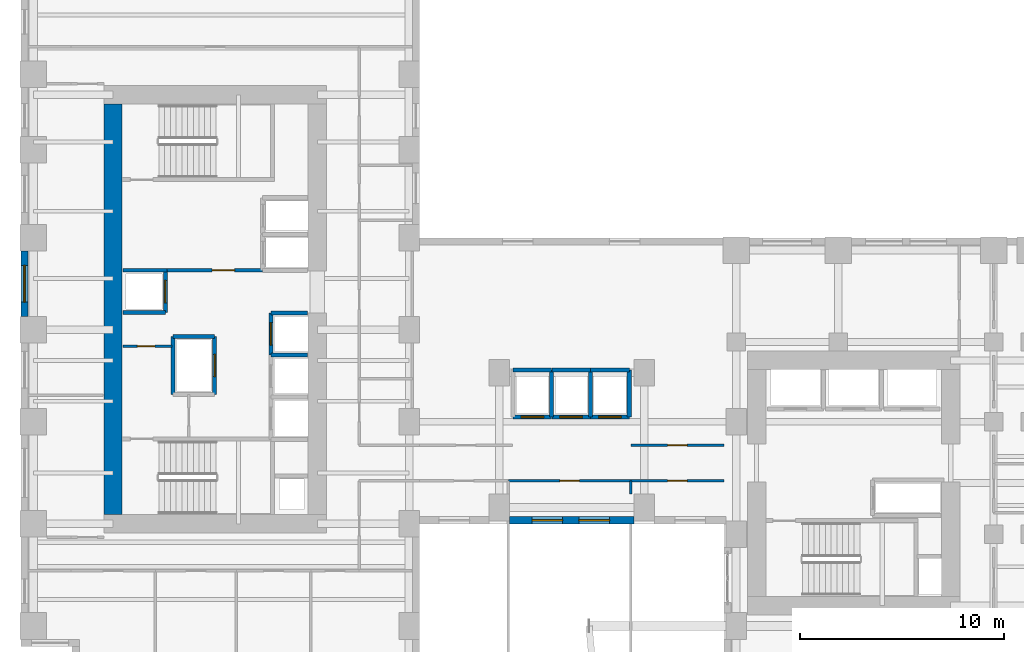
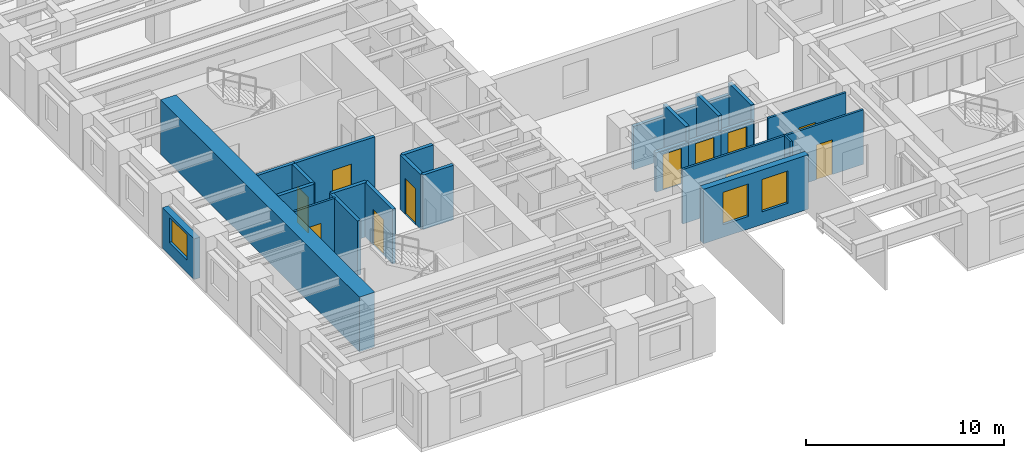
# One storey, part 8 of 14: 27 walls, 11 doors, 3 windows, 14 openings.
"""IFC4 building model written with IfcOpenShell, lengths in metres."""

from ifc_helpers import new_model, si_unit, direction, frame, frame_2d, origin, place, context, subcontext, project, spatial, rectangle, extrude, source, transform, mapped, material, layer, layer_set, type_object, element, fill, save


model = new_model("IFC4")

# Units and contexts
model_context = context("Model", 3, precision=1e-05, world=origin(), true_north=direction((0.0, 1.0)))
body_context = subcontext(model_context, "Body", "Model", "MODEL_VIEW")
ifc_project = project(units=[si_unit("LENGTHUNIT", "METRE"), si_unit("AREAUNIT", "SQUARE_METRE"), si_unit("VOLUMEUNIT", "CUBIC_METRE"), si_unit("PLANEANGLEUNIT", "RADIAN"), si_unit("MASSUNIT", "GRAM", prefix="KILO")], contexts=[model_context])

# Site, building, storey
site_placement = place(None, origin())
site = spatial("IfcSite", under=ifc_project, at=site_placement, CompositionType="ELEMENT")
building_placement = place(site_placement, origin())
building = spatial("IfcBuilding", under=site, at=building_placement, Name="Kharzan Plaza Tower", CompositionType="ELEMENT")
storey_placement = place(building_placement, frame((0.0, 0.0, 29.699951171875)))
storey = spatial("IfcBuildingStorey", under=building, at=storey_placement, Name="L07", CompositionType="ELEMENT", Elevation=29.699951171875)

# Wall, opening, window
ifc_material_1 = material(Name="Concrete C40/50", Category="concrete")
ifc_layer_1 = layer(ifc_material_1, 0.35009765625)
ifc_layer_set_1 = layer_set([ifc_layer_1], Name="Concrete C40/50")
wall_type_1 = type_object("IfcWallType", Name="WL-EXT-MAS-Z1", PredefinedType="SOLIDWALL", material=ifc_layer_set_1)
wall_1_placement = place(storey_placement, frame((0.175048828125, 21.85205078125, 0.0), z_axis=(0.0, 0.0, 1.0), x_axis=(0.0, -1.0, 0.0)))
wall_1 = element("IfcWall", 1, at=wall_1_placement, inside=storey, type_object=wall_type_1, Name="L07 Masonry-Frame Exterior Wall 16", PredefinedType="SOLIDWALL", context=body_context, shape_type="SweptSolid", body=[
    extrude(rectangle(XDim=3.2041015625, YDim=0.35009765625, at=frame_2d((1.60205078125, 0.0))), origin(), (0.0, 0.0, 1.0), 2.510009765625),
])
opening_1_placement = place(wall_1_placement, frame((0.701904296875, 0.0, 0.780029296875)))
opening_1 = element("IfcOpeningElement", 2, at=opening_1_placement, cuts=wall_1, Name="Opening W1", PredefinedType="OPENING", context=body_context, shape_type="SweptSolid", body=[
    extrude(rectangle(XDim=1.800048828125, YDim=1.550048828125, at=frame_2d((0.89990234375, 0.77490234375))), frame((0.0, 0.18505859375, 0.0), z_axis=(0.0, -1.0, 0.0), x_axis=(1.0, 0.0, 0.0)), (0.0, 0.0, 1.0), 0.3701171875),
])
ifc_material_2 = material(Name="Low-E Double Glazing", Category="glass")
window_type_1 = type_object("IfcWindowType", Name="WN-REC-1800x2100", PartitioningType="SINGLE_PANEL", PredefinedType="WINDOW", material=ifc_material_2)
shared_shape_1 = source(origin(), body_context, "Body", "SweptSolid", [
    extrude(rectangle(XDim=1.800048828125, YDim=1.550048828125, at=frame_2d((0.89990234375, 0.77490234375))), frame((0.0, 0.030029296875, 0.0), z_axis=(0.0, -1.0, 0.0), x_axis=(1.0, 0.0, 0.0)), (0.0, 0.0, 1.0), 0.06005859375),
])
window_1_placement = place(opening_1_placement, origin())
window_1 = element("IfcWindow", 3, at=window_1_placement, inside=storey, type_object=window_type_1, Name="L07 Recessed Solar-Control Window 16-1", OverallHeight=1.550048828125, OverallWidth=1.800048828125, PartitioningType="SINGLE_PANEL", PredefinedType="WINDOW", context=body_context, shape_type="MappedRepresentation", body=[
    mapped(shared_shape_1, transform((0.0, 0.0, 0.0), x_axis=(1.0, 0.0, 0.0), y_axis=(0.0, 1.0, 0.0), z_axis=(0.0, 0.0, 1.0))),
])
fill(opening_1, window_1)

# Wall, openings, windows
wall_2_placement = place(storey_placement, frame((23.89794921875, 8.675048828125, 0.0), z_axis=(0.0, 0.0, 1.0), x_axis=(1.0, 0.0, 0.0)))
wall_2 = element("IfcWall", 4, at=wall_2_placement, inside=storey, type_object=wall_type_1, Name="L07 Masonry-Frame Exterior Wall 29", PredefinedType="SOLIDWALL", context=body_context, shape_type="SweptSolid", body=[
    extrude(rectangle(XDim=6.10400390625, YDim=0.35009765625, at=frame_2d((3.052001953125, 0.0))), origin(), (0.0, 0.0, 1.0), 3.364990234375),
])
opening_2_placement = place(wall_2_placement, frame((1.114013671875, 0.0, 0.780029296875)))
opening_2 = element("IfcOpeningElement", 5, at=opening_2_placement, cuts=wall_2, Name="Opening W5", PredefinedType="OPENING", context=body_context, shape_type="SweptSolid", body=[
    extrude(rectangle(XDim=1.5, YDim=2.0, at=frame_2d((0.75, 1.0))), frame((0.0, 0.18505859375, 0.0), z_axis=(0.0, -1.0, 0.0), x_axis=(1.0, 0.0, 0.0)), (0.0, 0.0, 1.0), 0.3701171875),
])
opening_3_placement = place(wall_2_placement, frame((3.407958984375, 0.0, 0.780029296875)))
opening_3 = element("IfcOpeningElement", 6, at=opening_3_placement, cuts=wall_2, Name="Opening W5", PredefinedType="OPENING", context=body_context, shape_type="SweptSolid", body=[
    extrude(rectangle(XDim=1.5, YDim=2.0, at=frame_2d((0.75, 1.0))), frame((0.0, 0.18505859375, 0.0), z_axis=(0.0, -1.0, 0.0), x_axis=(1.0, 0.0, 0.0)), (0.0, 0.0, 1.0), 0.3701171875),
])
window_type_2 = type_object("IfcWindowType", Name="WN-SLT-1500x2000", PartitioningType="SINGLE_PANEL", PredefinedType="WINDOW", material=ifc_material_2)
shared_shape_2 = source(origin(), body_context, "Body", "SweptSolid", [
    extrude(rectangle(XDim=1.5, YDim=2.0, at=frame_2d((0.75, 1.0))), frame((0.0, 0.030029296875, 0.0), z_axis=(0.0, -1.0, 0.0), x_axis=(1.0, 0.0, 0.0)), (0.0, 0.0, 1.0), 0.06005859375),
])
window_2_placement = place(opening_2_placement, origin())
window_2 = element("IfcWindow", 7, at=window_2_placement, inside=storey, type_object=window_type_2, Name="L07 Recessed Solar-Control Window 29-1", OverallHeight=2.0, OverallWidth=1.5, PartitioningType="SINGLE_PANEL", PredefinedType="WINDOW", context=body_context, shape_type="MappedRepresentation", body=[
    mapped(shared_shape_2, transform((0.0, 0.0, 0.0), x_axis=(1.0, 0.0, 0.0), y_axis=(0.0, 1.0, 0.0), z_axis=(0.0, 0.0, 1.0))),
])
fill(opening_2, window_2)
window_3_placement = place(opening_3_placement, origin())
window_3 = element("IfcWindow", 8, at=window_3_placement, inside=storey, type_object=window_type_2, Name="L07 Recessed Solar-Control Window 29-2", OverallHeight=2.0, OverallWidth=1.5, PartitioningType="SINGLE_PANEL", PredefinedType="WINDOW", context=body_context, shape_type="MappedRepresentation", body=[
    mapped(shared_shape_2, transform((0.0, 0.0, 0.0), x_axis=(1.0, 0.0, 0.0), y_axis=(0.0, 1.0, 0.0), z_axis=(0.0, 0.0, 1.0))),
])
fill(opening_3, window_3)

# Wall, opening, door
ifc_layer_2 = layer(ifc_material_1, 0.179931640625)
ifc_layer_set_2 = layer_set([ifc_layer_2], Name="Concrete C40/50")
wall_type_2 = type_object("IfcWallType", Name="WL-INT-FIRE-180", PredefinedType="PARTITIONING", material=ifc_layer_set_2)
wall_3_placement = place(storey_placement, frame((7.14990234375, 20.919921875, 0.0), z_axis=(0.0, 0.0, 1.0), x_axis=(1.0, 0.0, 0.0)))
wall_3 = element("IfcWall", 9, at=wall_3_placement, inside=storey, type_object=wall_type_2, Name="L07 Interior Partition CA-FF-S", PredefinedType="PARTITIONING", context=body_context, shape_type="SweptSolid", body=[
    extrude(rectangle(XDim=4.68017578125, YDim=0.179931640625, at=frame_2d((2.340087890625, 0.0))), origin(), (0.0, 0.0, 1.0), 3.364990234375),
])
opening_4_placement = place(wall_3_placement, frame((2.199951171875, 0.0, 0.0)))
opening_4 = element("IfcOpeningElement", 10, at=opening_4_placement, cuts=wall_3, Name="Opening FD1", PredefinedType="OPENING", context=body_context, shape_type="SweptSolid", body=[
    extrude(rectangle(XDim=1.10009765625, YDim=2.14990234375, at=frame_2d((0.550048828125, 1.074951171875))), frame((0.0, 0.099853515625, 0.0), z_axis=(0.0, -1.0, 0.0), x_axis=(1.0, 0.0, 0.0)), (0.0, 0.0, 1.0), 0.199951171875),
])
ifc_material_3 = material(Name="Fire-Rated Acoustic Vision-Panel Steel", Category="steel")
door_type_1 = type_object("IfcDoorType", Name="DR-FIRE-LOBBY", OperationType="NOTDEFINED", PredefinedType="DOOR", material=ifc_material_3)
shared_shape_3 = source(origin(), body_context, "Body", "SweptSolid", [
    extrude(rectangle(XDim=1.10009765625, YDim=2.14990234375, at=frame_2d((0.550048828125, 1.074951171875))), frame((0.0, 0.02490234375, 0.0), z_axis=(0.0, -1.0, 0.0), x_axis=(1.0, 0.0, 0.0)), (0.0, 0.0, 1.0), 0.050048828125),
])
door_1_placement = place(opening_4_placement, origin())
door_1 = element("IfcDoor", 11, at=door_1_placement, inside=storey, type_object=door_type_1, Name="L07 Firefighting Lobby Door", OperationType="SINGLE_SWING_LEFT", OverallHeight=2.14990234375, OverallWidth=1.10009765625, PredefinedType="DOOR", context=body_context, shape_type="MappedRepresentation", body=[
    mapped(shared_shape_3, transform((0.0, 0.0, 0.0), x_axis=(1.0, 0.0, 0.0), y_axis=(0.0, 1.0, 0.0), z_axis=(0.0, 0.0, 1.0))),
])
fill(opening_4, door_1)

ifc_material_4 = material(Name="Fire-Rated Gypsum Board Partition", Category="gypsum")
ifc_layer_3 = layer(ifc_material_4, 0.125)
ifc_layer_set_3 = layer_set([ifc_layer_3], Name="Fire-Rated Gypsum Board Partition")
wall_type_3 = type_object("IfcWallType", Name="WL-INT-PART-125", PredefinedType="PARTITIONING", material=ifc_layer_set_3)
wall_4_placement = place(storey_placement, frame((5.0, 17.199951171875, 0.0), z_axis=(0.0, 0.0, 1.0), x_axis=(1.0, 0.0, 0.0)))
wall_4 = element("IfcWall", 12, at=wall_4_placement, inside=storey, type_object=wall_type_3, Name="L07 Interior Partition CA-K1N2", PredefinedType="PARTITIONING", context=body_context, shape_type="SweptSolid", body=[
    extrude(rectangle(XDim=2.39990234375, YDim=0.125, at=frame_2d((1.199951171875, 0.0))), origin(), (0.0, 0.0, 1.0), 3.364990234375),
])
opening_5_placement = place(wall_4_placement, frame((0.699951171875, 0.0, 0.0)))
opening_5 = element("IfcOpeningElement", 13, at=opening_5_placement, cuts=wall_4, Name="Opening RD1", PredefinedType="OPENING", context=body_context, shape_type="SweptSolid", body=[
    extrude(rectangle(XDim=0.85009765625, YDim=2.10009765625, at=frame_2d((0.425048828125, 1.050048828125))), frame((0.0, 0.072509765625, 0.0), z_axis=(0.0, -1.0, 0.0), x_axis=(1.0, 0.0, 0.0)), (0.0, 0.0, 1.0), 0.14501953125),
])
ifc_material_5 = material(Name="Powder-Coated Fire-Rated Steel", Category="steel")
door_type_2 = type_object("IfcDoorType", Name="DR-RISER-900", OperationType="NOTDEFINED", PredefinedType="DOOR", material=ifc_material_5)
shared_shape_4 = source(origin(), body_context, "Body", "SweptSolid", [
    extrude(rectangle(XDim=0.85009765625, YDim=2.10009765625, at=frame_2d((0.425048828125, 1.050048828125))), frame((0.0, 0.02490234375, 0.0), z_axis=(0.0, -1.0, 0.0), x_axis=(1.0, 0.0, 0.0)), (0.0, 0.0, 1.0), 0.050048828125),
])
door_2_placement = place(opening_5_placement, origin())
door_2 = element("IfcDoor", 14, at=door_2_placement, inside=storey, type_object=door_type_2, Name="L07 Core Storage Room Door", OperationType="SINGLE_SWING_RIGHT", OverallHeight=2.10009765625, OverallWidth=0.85009765625, PredefinedType="DOOR", context=body_context, shape_type="MappedRepresentation", body=[
    mapped(shared_shape_4, transform((0.0, 0.0, 0.0), x_axis=(1.0, 0.0, 0.0), y_axis=(0.0, 1.0, 0.0), z_axis=(0.0, 0.0, 1.0))),
])
fill(opening_5, door_2)

wall_5_placement = place(storey_placement, frame((29.85009765625, 12.35009765625, 0.0), z_axis=(0.0, 0.0, 1.0), x_axis=(1.0, 0.0, 0.0)))
wall_5 = element("IfcWall", 15, at=wall_5_placement, inside=storey, type_object=wall_type_3, Name="L07 Interior Partition SH-SPNE1", PredefinedType="PARTITIONING", context=body_context, shape_type="SweptSolid", body=[
    extrude(rectangle(XDim=4.5498046875, YDim=0.125, at=frame_2d((2.27490234375, 0.0))), origin(), (0.0, 0.0, 1.0), 3.364990234375),
])
opening_6_placement = place(wall_5_placement, frame((1.800048828125, 0.0, 0.0)))
opening_6 = element("IfcOpeningElement", 16, at=opening_6_placement, cuts=wall_5, Name="Opening OD1", PredefinedType="OPENING", context=body_context, shape_type="SweptSolid", body=[
    extrude(rectangle(XDim=0.949951171875, YDim=2.14990234375, at=frame_2d((0.47509765625, 1.074951171875))), frame((0.0, 0.072509765625, 0.0), z_axis=(0.0, -1.0, 0.0), x_axis=(1.0, 0.0, 0.0)), (0.0, 0.0, 1.0), 0.14501953125),
])
ifc_material_6 = material(Name="Acoustic Solid-Core Stained Oak", Category="timber")
door_type_3 = type_object("IfcDoorType", Name="DR-OFF-SINGLE", OperationType="NOTDEFINED", PredefinedType="DOOR", material=ifc_material_6)
shared_shape_5 = source(origin(), body_context, "Body", "SweptSolid", [
    extrude(rectangle(XDim=0.949951171875, YDim=2.14990234375, at=frame_2d((0.47509765625, 1.074951171875))), frame((0.0, 0.02490234375, 0.0), z_axis=(0.0, -1.0, 0.0), x_axis=(1.0, 0.0, 0.0)), (0.0, 0.0, 1.0), 0.050048828125),
])
door_3_placement = place(opening_6_placement, origin())
door_3 = element("IfcDoor", 17, at=door_3_placement, inside=storey, type_object=door_type_3, Name="L07 North-East Spine Door", OperationType="SINGLE_SWING_LEFT", OverallHeight=2.14990234375, OverallWidth=0.949951171875, PredefinedType="DOOR", context=body_context, shape_type="MappedRepresentation", body=[
    mapped(shared_shape_5, transform((0.0, 0.0, 0.0), x_axis=(1.0, 0.0, 0.0), y_axis=(0.0, 1.0, 0.0), z_axis=(0.0, 0.0, 1.0))),
])
fill(opening_6, door_3)

wall_6_placement = place(storey_placement, frame((23.85009765625, 10.60009765625, 0.0), z_axis=(0.0, 0.0, 1.0), x_axis=(1.0, 0.0, 0.0)))
wall_6 = element("IfcWall", 18, at=wall_6_placement, inside=storey, type_object=wall_type_3, Name="L07 Interior Partition SH-SPS2", PredefinedType="PARTITIONING", context=body_context, shape_type="SweptSolid", body=[
    extrude(rectangle(XDim=6.0, YDim=0.125, at=frame_2d((3.0, 0.0))), origin(), (0.0, 0.0, 1.0), 3.364990234375),
])
opening_7_placement = place(wall_6_placement, frame((2.52490234375, 0.0, 0.0)))
opening_7 = element("IfcOpeningElement", 19, at=opening_7_placement, cuts=wall_6, Name="Opening OD1", PredefinedType="OPENING", context=body_context, shape_type="SweptSolid", body=[
    extrude(rectangle(XDim=0.949951171875, YDim=2.14990234375, at=frame_2d((0.47509765625, 1.074951171875))), frame((0.0, 0.072509765625, 0.0), z_axis=(0.0, -1.0, 0.0), x_axis=(1.0, 0.0, 0.0)), (0.0, 0.0, 1.0), 0.14501953125),
])
door_4_placement = place(opening_7_placement, origin())
door_4 = element("IfcDoor", 20, at=door_4_placement, inside=storey, type_object=door_type_3, Name="L07 Spine Studio 2 Door", OperationType="SINGLE_SWING_RIGHT", OverallHeight=2.14990234375, OverallWidth=0.949951171875, PredefinedType="DOOR", context=body_context, shape_type="MappedRepresentation", body=[
    mapped(shared_shape_5, transform((0.0, 0.0, 0.0), x_axis=(1.0, 0.0, 0.0), y_axis=(0.0, 1.0, 0.0), z_axis=(0.0, 0.0, 1.0))),
])
fill(opening_7, door_4)

wall_7_placement = place(storey_placement, frame((29.85009765625, 10.60009765625, 0.0), z_axis=(0.0, 0.0, 1.0), x_axis=(1.0, 0.0, 0.0)))
wall_7 = element("IfcWall", 21, at=wall_7_placement, inside=storey, type_object=wall_type_3, Name="L07 Interior Partition SH-SPS3", PredefinedType="PARTITIONING", context=body_context, shape_type="SweptSolid", body=[
    extrude(rectangle(XDim=4.5498046875, YDim=0.125, at=frame_2d((2.27490234375, 0.0))), origin(), (0.0, 0.0, 1.0), 3.364990234375),
])
opening_8_placement = place(wall_7_placement, frame((1.800048828125, 0.0, 0.0)))
opening_8 = element("IfcOpeningElement", 22, at=opening_8_placement, cuts=wall_7, Name="Opening OD1", PredefinedType="OPENING", context=body_context, shape_type="SweptSolid", body=[
    extrude(rectangle(XDim=0.949951171875, YDim=2.14990234375, at=frame_2d((0.47509765625, 1.074951171875))), frame((0.0, 0.072509765625, 0.0), z_axis=(0.0, -1.0, 0.0), x_axis=(1.0, 0.0, 0.0)), (0.0, 0.0, 1.0), 0.14501953125),
])
door_5_placement = place(opening_8_placement, origin())
door_5 = element("IfcDoor", 23, at=door_5_placement, inside=storey, type_object=door_type_3, Name="L07 Spine Studio 3 Door", OperationType="SINGLE_SWING_LEFT", OverallHeight=2.14990234375, OverallWidth=0.949951171875, PredefinedType="DOOR", context=body_context, shape_type="MappedRepresentation", body=[
    mapped(shared_shape_5, transform((0.0, 0.0, 0.0), x_axis=(1.0, 0.0, 0.0), y_axis=(0.0, 1.0, 0.0), z_axis=(0.0, 0.0, 1.0))),
])
fill(opening_8, door_5)

ifc_layer_4 = layer(ifc_material_1, 0.199951171875)
ifc_layer_set_4 = layer_set([ifc_layer_4], Name="Concrete C40/50")
wall_type_4 = type_object("IfcWallType", Name="WL-INT-SHAFT-200", PredefinedType="PARTITIONING", material=ifc_layer_set_4)
wall_8_placement = place(storey_placement, frame((12.22998046875, 16.77001953125, 0.0), z_axis=(0.0, 0.0, 1.0), x_axis=(0.0, 1.0, 0.0)))
wall_8 = element("IfcWall", 24, at=wall_8_placement, inside=storey, type_object=wall_type_4, Name="L07 Interior Partition SHF-PL-H3-W", PredefinedType="PARTITIONING", context=body_context, shape_type="SweptSolid", body=[
    extrude(rectangle(XDim=2.050048828125, YDim=0.199951171875, at=frame_2d((1.02490234375, 0.0))), origin(), (0.0, 0.0, 1.0), 3.364990234375),
])
opening_9_placement = place(wall_8_placement, frame((0.47509765625, 0.0, 0.0)))
opening_9 = element("IfcOpeningElement", 25, at=opening_9_placement, cuts=wall_8, Name="Opening LD", PredefinedType="OPENING", context=body_context, shape_type="SweptSolid", body=[
    extrude(rectangle(XDim=1.10009765625, YDim=2.199951171875, at=frame_2d((0.550048828125, 1.10009765625))), frame((0.0, 0.10986328125, 0.0), z_axis=(0.0, -1.0, 0.0), x_axis=(1.0, 0.0, 0.0)), (0.0, 0.0, 1.0), 0.219970703125),
])
ifc_material_7 = material(Name="Brushed Stainless Steel", Category="steel")
door_type_4 = type_object("IfcDoorType", Name="DR-LIFT-SLIDE", OperationType="SLIDING_TO_LEFT", PredefinedType="DOOR", material=ifc_material_7)
shared_shape_6 = source(origin(), body_context, "Body", "SweptSolid", [
    extrude(rectangle(XDim=1.10009765625, YDim=2.199951171875, at=frame_2d((0.550048828125, 1.10009765625))), frame((0.0, 0.02490234375, 0.0), z_axis=(0.0, -1.0, 0.0), x_axis=(1.0, 0.0, 0.0)), (0.0, 0.0, 1.0), 0.050048828125),
])
door_6_placement = place(opening_9_placement, origin())
door_6 = element("IfcDoor", 26, at=door_6_placement, inside=storey, type_object=door_type_4, Name="L07 High-Rise Passenger Lift PL-H3 Sliding Landing Door", OperationType="SLIDING_TO_LEFT", OverallHeight=2.199951171875, OverallWidth=1.10009765625, PredefinedType="DOOR", context=body_context, shape_type="MappedRepresentation", body=[
    mapped(shared_shape_6, transform((0.0, 0.0, 0.0), x_axis=(1.0, 0.0, 0.0), y_axis=(0.0, 1.0, 0.0), z_axis=(0.0, 0.0, 1.0))),
])
fill(opening_9, door_6)

wall_9_placement = place(storey_placement, frame((7.070068359375, 18.840087890625, 0.0), z_axis=(0.0, 0.0, 1.0), x_axis=(0.0, 1.0, 0.0)))
wall_9 = element("IfcWall", 27, at=wall_9_placement, inside=storey, type_object=wall_type_4, Name="L07 Interior Partition SHF-PL-H4-E", PredefinedType="PARTITIONING", context=body_context, shape_type="SweptSolid", body=[
    extrude(rectangle(XDim=2.059814453125, YDim=0.199951171875, at=frame_2d((1.02978515625, 0.0))), origin(), (0.0, 0.0, 1.0), 3.364990234375),
])
opening_10_placement = place(wall_9_placement, frame((0.47998046875, 0.0, 0.0)))
opening_10 = element("IfcOpeningElement", 28, at=opening_10_placement, cuts=wall_9, Name="Opening LD", PredefinedType="OPENING", context=body_context, shape_type="SweptSolid", body=[
    extrude(rectangle(XDim=1.10009765625, YDim=2.199951171875, at=frame_2d((0.550048828125, 1.10009765625))), frame((0.0, 0.10986328125, 0.0), z_axis=(0.0, -1.0, 0.0), x_axis=(1.0, 0.0, 0.0)), (0.0, 0.0, 1.0), 0.219970703125),
])
door_7_placement = place(opening_10_placement, origin())
door_7 = element("IfcDoor", 29, at=door_7_placement, inside=storey, type_object=door_type_4, Name="L07 High-Rise Passenger Lift PL-H4 Sliding Landing Door", OperationType="SLIDING_TO_LEFT", OverallHeight=2.199951171875, OverallWidth=1.10009765625, PredefinedType="DOOR", context=body_context, shape_type="MappedRepresentation", body=[
    mapped(shared_shape_6, transform((0.0, 0.0, 0.0), x_axis=(1.0, 0.0, 0.0), y_axis=(0.0, 1.0, 0.0), z_axis=(0.0, 0.0, 1.0))),
])
fill(opening_10, door_7)

wall_10_placement = place(storey_placement, frame((24.080078125, 13.72998046875, 0.0), z_axis=(0.0, 0.0, 1.0), x_axis=(1.0, 0.0, 0.0)))
wall_10 = element("IfcWall", 30, at=wall_10_placement, inside=storey, type_object=wall_type_4, Name="L07 Interior Partition SHF-PL-M1-S", PredefinedType="PARTITIONING", context=body_context, shape_type="SweptSolid", body=[
    extrude(rectangle(XDim=1.889892578125, YDim=0.199951171875, at=frame_2d((0.94482421875, 0.0))), origin(), (0.0, 0.0, 1.0), 2.446044921875),
])
opening_11_placement = place(wall_10_placement, frame((0.39501953125, 0.0, 0.0)))
opening_11 = element("IfcOpeningElement", 31, at=opening_11_placement, cuts=wall_10, Name="Opening LD", PredefinedType="OPENING", context=body_context, shape_type="SweptSolid", body=[
    extrude(rectangle(XDim=1.10009765625, YDim=2.199951171875, at=frame_2d((0.550048828125, 1.10009765625))), frame((0.0, 0.10986328125, 0.0), z_axis=(0.0, -1.0, 0.0), x_axis=(1.0, 0.0, 0.0)), (0.0, 0.0, 1.0), 0.219970703125),
])
door_8_placement = place(opening_11_placement, origin())
door_8 = element("IfcDoor", 32, at=door_8_placement, inside=storey, type_object=door_type_4, Name="L07 Mid-Rise Passenger Lift PL-M1 Sliding Landing Door", OperationType="SLIDING_TO_LEFT", OverallHeight=2.199951171875, OverallWidth=1.10009765625, PredefinedType="DOOR", context=body_context, shape_type="MappedRepresentation", body=[
    mapped(shared_shape_6, transform((0.0, 0.0, 0.0), x_axis=(1.0, 0.0, 0.0), y_axis=(0.0, 1.0, 0.0), z_axis=(0.0, 0.0, 1.0))),
])
fill(opening_11, door_8)

wall_11_placement = place(storey_placement, frame((25.97998046875, 13.72998046875, 0.0), z_axis=(0.0, 0.0, 1.0), x_axis=(1.0, 0.0, 0.0)))
wall_11 = element("IfcWall", 33, at=wall_11_placement, inside=storey, type_object=wall_type_4, Name="L07 Interior Partition SHF-PL-M2-S", PredefinedType="PARTITIONING", context=body_context, shape_type="SweptSolid", body=[
    extrude(rectangle(XDim=1.89013671875, YDim=0.199951171875, at=frame_2d((0.945068359375, 0.0))), origin(), (0.0, 0.0, 1.0), 2.446044921875),
])
opening_12_placement = place(wall_11_placement, frame((0.39501953125, 0.0, 0.0)))
opening_12 = element("IfcOpeningElement", 34, at=opening_12_placement, cuts=wall_11, Name="Opening LD", PredefinedType="OPENING", context=body_context, shape_type="SweptSolid", body=[
    extrude(rectangle(XDim=1.10009765625, YDim=2.199951171875, at=frame_2d((0.550048828125, 1.10009765625))), frame((0.0, 0.10986328125, 0.0), z_axis=(0.0, -1.0, 0.0), x_axis=(1.0, 0.0, 0.0)), (0.0, 0.0, 1.0), 0.219970703125),
])
door_9_placement = place(opening_12_placement, origin())
door_9 = element("IfcDoor", 35, at=door_9_placement, inside=storey, type_object=door_type_4, Name="L07 Mid-Rise Passenger Lift PL-M2 Sliding Landing Door", OperationType="SLIDING_TO_LEFT", OverallHeight=2.199951171875, OverallWidth=1.10009765625, PredefinedType="DOOR", context=body_context, shape_type="MappedRepresentation", body=[
    mapped(shared_shape_6, transform((0.0, 0.0, 0.0), x_axis=(1.0, 0.0, 0.0), y_axis=(0.0, 1.0, 0.0), z_axis=(0.0, 0.0, 1.0))),
])
fill(opening_12, door_9)

wall_12_placement = place(storey_placement, frame((27.8798828125, 13.72998046875, 0.0), z_axis=(0.0, 0.0, 1.0), x_axis=(1.0, 0.0, 0.0)))
wall_12 = element("IfcWall", 36, at=wall_12_placement, inside=storey, type_object=wall_type_4, Name="L07 Interior Partition SHF-PL-M3-S", PredefinedType="PARTITIONING", context=body_context, shape_type="SweptSolid", body=[
    extrude(rectangle(XDim=1.89013671875, YDim=0.199951171875, at=frame_2d((0.945068359375, 0.0))), origin(), (0.0, 0.0, 1.0), 2.446044921875),
])
opening_13_placement = place(wall_12_placement, frame((0.39501953125, 0.0, 0.0)))
opening_13 = element("IfcOpeningElement", 37, at=opening_13_placement, cuts=wall_12, Name="Opening LD", PredefinedType="OPENING", context=body_context, shape_type="SweptSolid", body=[
    extrude(rectangle(XDim=1.10009765625, YDim=2.199951171875, at=frame_2d((0.550048828125, 1.10009765625))), frame((0.0, 0.10986328125, 0.0), z_axis=(0.0, -1.0, 0.0), x_axis=(1.0, 0.0, 0.0)), (0.0, 0.0, 1.0), 0.219970703125),
])
door_10_placement = place(opening_13_placement, origin())
door_10 = element("IfcDoor", 38, at=door_10_placement, inside=storey, type_object=door_type_4, Name="L07 Mid-Rise Passenger Lift PL-M3 Sliding Landing Door", OperationType="SLIDING_TO_LEFT", OverallHeight=2.199951171875, OverallWidth=1.10009765625, PredefinedType="DOOR", context=body_context, shape_type="MappedRepresentation", body=[
    mapped(shared_shape_6, transform((0.0, 0.0, 0.0), x_axis=(1.0, 0.0, 0.0), y_axis=(0.0, 1.0, 0.0), z_axis=(0.0, 0.0, 1.0))),
])
fill(opening_13, door_10)

wall_13_placement = place(storey_placement, frame((9.469970703125, 14.830078125, 0.0), z_axis=(0.0, 0.0, 1.0), x_axis=(0.0, 1.0, 0.0)))
wall_13 = element("IfcWall", 39, at=wall_13_placement, inside=storey, type_object=wall_type_4, Name="L07 Interior Partition SHF-SVL-1-E", PredefinedType="PARTITIONING", context=body_context, shape_type="SweptSolid", body=[
    extrude(rectangle(XDim=2.83984375, YDim=0.199951171875, at=frame_2d((1.419921875, 0.0))), origin(), (0.0, 0.0, 1.0), 3.364990234375),
])
opening_14_placement = place(wall_13_placement, frame((0.8701171875, 0.0, 0.0)))
opening_14 = element("IfcOpeningElement", 40, at=opening_14_placement, cuts=wall_13, Name="Opening LD", PredefinedType="OPENING", context=body_context, shape_type="SweptSolid", body=[
    extrude(rectangle(XDim=1.10009765625, YDim=2.199951171875, at=frame_2d((0.550048828125, 1.10009765625))), frame((0.0, 0.10986328125, 0.0), z_axis=(0.0, -1.0, 0.0), x_axis=(1.0, 0.0, 0.0)), (0.0, 0.0, 1.0), 0.219970703125),
])
door_11_placement = place(opening_14_placement, origin())
door_11 = element("IfcDoor", 41, at=door_11_placement, inside=storey, type_object=door_type_4, Name="L07 Service Lift SVL-1 Sliding Landing Door", OperationType="SLIDING_TO_LEFT", OverallHeight=2.199951171875, OverallWidth=1.10009765625, PredefinedType="DOOR", context=body_context, shape_type="MappedRepresentation", body=[
    mapped(shared_shape_6, transform((0.0, 0.0, 0.0), x_axis=(1.0, 0.0, 0.0), y_axis=(0.0, 1.0, 0.0), z_axis=(0.0, 0.0, 1.0))),
])
fill(opening_14, door_11)

# Walls
shared_shape_7 = source(origin(), body_context, "Body", "SweptSolid", [
    extrude(rectangle(XDim=2.169921875, YDim=0.179931640625, at=frame_2d((1.0849609375, 0.0))), origin(), (0.0, 0.0, 1.0), 3.364990234375),
])
wall_14_placement = place(storey_placement, frame((4.97998046875, 20.919921875, 0.0), z_axis=(0.0, 0.0, 1.0), x_axis=(1.0, 0.0, 0.0)))
element("IfcWall", 42, at=wall_14_placement, inside=storey, type_object=wall_type_2, Name="L07 Interior Partition CA-FF-SW", PredefinedType="PARTITIONING", context=body_context, shape_type="MappedRepresentation", body=[
    mapped(shared_shape_7, transform((0.0, 0.0, 0.0), x_axis=(1.0, 0.0, 0.0), y_axis=(0.0, 1.0, 0.0), z_axis=(0.0, 0.0, 1.0))),
])
shared_shape_8 = source(origin(), body_context, "Body", "SweptSolid", [
    extrude(rectangle(XDim=1.7900390625, YDim=0.199951171875, at=frame_2d((0.89501953125, 0.0))), origin(), (0.0, 0.0, 1.0), 3.364990234375),
])
for number, where, z_axis, x_axis, name in (
    (43, (12.22998046875, 16.77001953125, 0.0), (0.0, 0.0, 1.0), (1.0, 0.0, 0.0), "L07 Interior Partition SHF-PL-H2-N"),
    (44, (12.22998046875, 18.820068359375, 0.0), (0.0, 0.0, 1.0), (1.0, 0.0, 0.0), "L07 Interior Partition SHF-PL-H3-N"),
):
    element("IfcWall", number, at=place(storey_placement, frame(where, z_axis=z_axis, x_axis=x_axis)), inside=storey, type_object=wall_type_4, Name=name, PredefinedType="PARTITIONING", context=body_context, shape_type="MappedRepresentation", body=[
        mapped(shared_shape_8, transform((0.0, 0.0, 0.0), x_axis=(1.0, 0.0, 0.0), y_axis=(0.0, 1.0, 0.0), z_axis=(0.0, 0.0, 1.0))),
    ])
shared_shape_9 = source(origin(), body_context, "Body", "SweptSolid", [
    extrude(rectangle(XDim=2.090087890625, YDim=0.199951171875, at=frame_2d((1.044921875, 0.0))), origin(), (0.0, 0.0, 1.0), 3.364990234375),
])
wall_15_placement = place(storey_placement, frame((4.97998046875, 18.840087890625, 0.0), z_axis=(0.0, 0.0, 1.0), x_axis=(1.0, 0.0, 0.0)))
element("IfcWall", 45, at=wall_15_placement, inside=storey, type_object=wall_type_4, Name="L07 Interior Partition SHF-PL-H4-S", PredefinedType="PARTITIONING", context=body_context, shape_type="MappedRepresentation", body=[
    mapped(shared_shape_9, transform((0.0, 0.0, 0.0), x_axis=(1.0, 0.0, 0.0), y_axis=(0.0, 1.0, 0.0), z_axis=(0.0, 0.0, 1.0))),
])
shared_shape_10 = source(origin(), body_context, "Body", "SweptSolid", [
    extrude(rectangle(XDim=2.2900390625, YDim=0.199951171875, at=frame_2d((1.14501953125, 0.0))), origin(), (0.0, 0.0, 1.0), 3.364990234375),
])
for number, where, z_axis, x_axis, name in (
    (46, (25.969970703125, 13.72998046875, 0.0), (0.0, 0.0, 1.0), (0.0, 1.0, 0.0), "L07 Interior Partition SHF-PL-M1-E"),
    (47, (27.8701171875, 13.72998046875, 0.0), (0.0, 0.0, 1.0), (0.0, 1.0, 0.0), "L07 Interior Partition SHF-PL-M2-E"),
    (48, (29.77001953125, 13.72998046875, 0.0), (0.0, 0.0, 1.0), (0.0, 1.0, 0.0), "L07 Interior Partition SHF-PL-M3-E"),
):
    element("IfcWall", number, at=place(storey_placement, frame(where, z_axis=z_axis, x_axis=x_axis)), inside=storey, type_object=wall_type_4, Name=name, PredefinedType="PARTITIONING", context=body_context, shape_type="MappedRepresentation", body=[
        mapped(shared_shape_10, transform((0.0, 0.0, 0.0), x_axis=(1.0, 0.0, 0.0), y_axis=(0.0, 1.0, 0.0), z_axis=(0.0, 0.0, 1.0))),
    ])
shared_shape_11 = source(origin(), body_context, "Body", "SweptSolid", [
    extrude(rectangle(XDim=2.0400390625, YDim=0.199951171875, at=frame_2d((1.02001953125, 0.0))), origin(), (0.0, 0.0, 1.0), 3.364990234375),
])
wall_16_placement = place(storey_placement, frame((7.429931640625, 17.669921875, 0.0), z_axis=(0.0, 0.0, 1.0), x_axis=(1.0, 0.0, 0.0)))
element("IfcWall", 49, at=wall_16_placement, inside=storey, type_object=wall_type_4, Name="L07 Interior Partition SHF-SVL-1-N", PredefinedType="PARTITIONING", context=body_context, shape_type="MappedRepresentation", body=[
    mapped(shared_shape_11, transform((0.0, 0.0, 0.0), x_axis=(1.0, 0.0, 0.0), y_axis=(0.0, 1.0, 0.0), z_axis=(0.0, 0.0, 1.0))),
])
shared_shape_12 = source(origin(), body_context, "Body", "SweptSolid", [
    extrude(rectangle(XDim=2.83984375, YDim=0.199951171875, at=frame_2d((1.419921875, 0.0))), origin(), (0.0, 0.0, 1.0), 3.364990234375),
])
wall_17_placement = place(storey_placement, frame((7.429931640625, 14.830078125, 0.0), z_axis=(0.0, 0.0, 1.0), x_axis=(0.0, 1.0, 0.0)))
element("IfcWall", 50, at=wall_17_placement, inside=storey, type_object=wall_type_4, Name="L07 Interior Partition SHF-SVL-1-W", PredefinedType="PARTITIONING", context=body_context, shape_type="MappedRepresentation", body=[
    mapped(shared_shape_12, transform((0.0, 0.0, 0.0), x_axis=(1.0, 0.0, 0.0), y_axis=(0.0, 1.0, 0.0), z_axis=(0.0, 0.0, 1.0))),
])
ifc_material_8 = material(Name="Concrete C60/75", Category="concrete")
ifc_layer_5 = layer(ifc_material_8, 0.89990234375)
ifc_layer_set_5 = layer_set([ifc_layer_5], Name="Concrete C60/75")
wall_type_5 = type_object("IfcWallType", Name="WL-CORE-900", PredefinedType="SHEAR", material=ifc_layer_set_5)
shared_shape_13 = source(origin(), body_context, "Body", "SweptSolid", [
    extrude(rectangle(XDim=20.10009765625, YDim=0.89990234375, at=frame_2d((10.050048828125, 0.0))), origin(), (0.0, 0.0, 1.0), 3.380126953125),
])
wall_18_placement = place(storey_placement, frame((4.5, 8.949951171875, 0.0), z_axis=(0.0, 0.0, 1.0), x_axis=(0.0, 1.0, 0.0)))
element("IfcWall", 51, at=wall_18_placement, inside=storey, type_object=wall_type_5, Name="L07 CORE-A west RC shear wall", PredefinedType="SHEAR", context=body_context, shape_type="MappedRepresentation", body=[
    mapped(shared_shape_13, transform((0.0, 0.0, 0.0), x_axis=(1.0, 0.0, 0.0), y_axis=(0.0, 1.0, 0.0), z_axis=(0.0, 0.0, 1.0))),
])
shared_shape_14 = source(origin(), body_context, "Body", "SweptSolid", [
    extrude(rectangle(XDim=0.64013671875, YDim=0.125, at=frame_2d((0.320068359375, 0.0))), origin(), (0.0, 0.0, 1.0), 3.364990234375),
])
wall_19_placement = place(storey_placement, frame((29.85009765625, 9.9599609375, 0.0), z_axis=(0.0, 0.0, 1.0), x_axis=(0.0, 1.0, 0.0)))
element("IfcWall", 52, at=wall_19_placement, inside=storey, type_object=wall_type_3, Name="L07 Interior Partition SH-SPSV2-S2", PredefinedType="PARTITIONING", context=body_context, shape_type="MappedRepresentation", body=[
    mapped(shared_shape_14, transform((0.0, 0.0, 0.0), x_axis=(1.0, 0.0, 0.0), y_axis=(0.0, 1.0, 0.0), z_axis=(0.0, 0.0, 1.0))),
])
shared_shape_15 = source(origin(), body_context, "Body", "SweptSolid", [
    extrude(rectangle(XDim=1.889892578125, YDim=0.199951171875, at=frame_2d((0.94482421875, 0.0))), origin(), (0.0, 0.0, 1.0), 2.670166015625),
])
wall_20_placement = place(storey_placement, frame((24.080078125, 16.02001953125, 0.0), z_axis=(0.0, 0.0, 1.0), x_axis=(1.0, 0.0, 0.0)))
element("IfcWall", 53, at=wall_20_placement, inside=storey, type_object=wall_type_4, Name="L07 Interior Partition SHF-PL-M1-N", PredefinedType="PARTITIONING", context=body_context, shape_type="MappedRepresentation", body=[
    mapped(shared_shape_15, transform((0.0, 0.0, 0.0), x_axis=(1.0, 0.0, 0.0), y_axis=(0.0, 1.0, 0.0), z_axis=(0.0, 0.0, 1.0))),
])
shared_shape_16 = source(origin(), body_context, "Body", "SweptSolid", [
    extrude(rectangle(XDim=1.89013671875, YDim=0.199951171875, at=frame_2d((0.945068359375, 0.0))), origin(), (0.0, 0.0, 1.0), 2.670166015625),
])
for number, where, z_axis, x_axis, name in (
    (54, (25.97998046875, 16.02001953125, 0.0), (0.0, 0.0, 1.0), (1.0, 0.0, 0.0), "L07 Interior Partition SHF-PL-M2-N"),
    (55, (27.8798828125, 16.02001953125, 0.0), (0.0, 0.0, 1.0), (1.0, 0.0, 0.0), "L07 Interior Partition SHF-PL-M3-N"),
):
    element("IfcWall", number, at=place(storey_placement, frame(where, z_axis=z_axis, x_axis=x_axis)), inside=storey, type_object=wall_type_4, Name=name, PredefinedType="PARTITIONING", context=body_context, shape_type="MappedRepresentation", body=[
        mapped(shared_shape_16, transform((0.0, 0.0, 0.0), x_axis=(1.0, 0.0, 0.0), y_axis=(0.0, 1.0, 0.0), z_axis=(0.0, 0.0, 1.0))),
    ])

save(model, "model.ifc")
